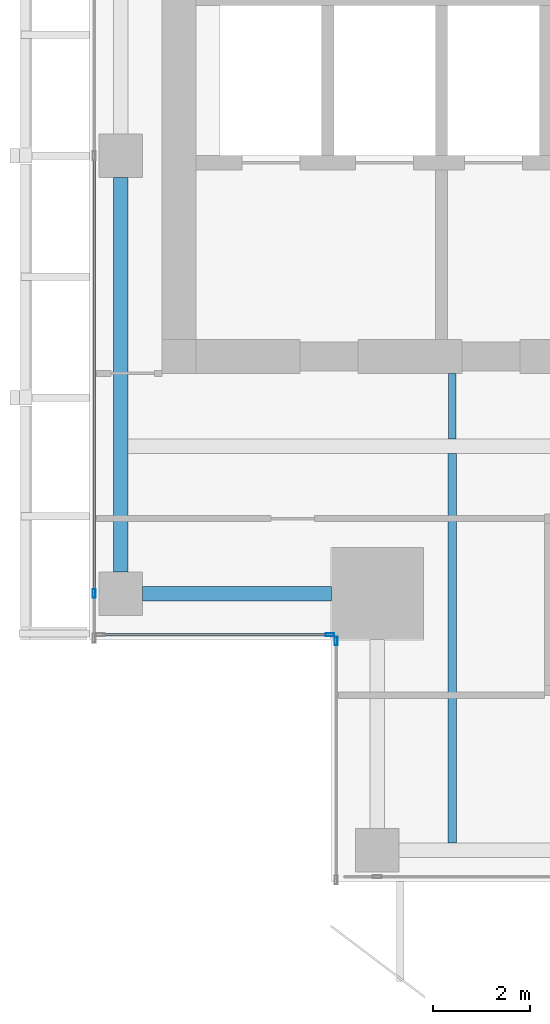
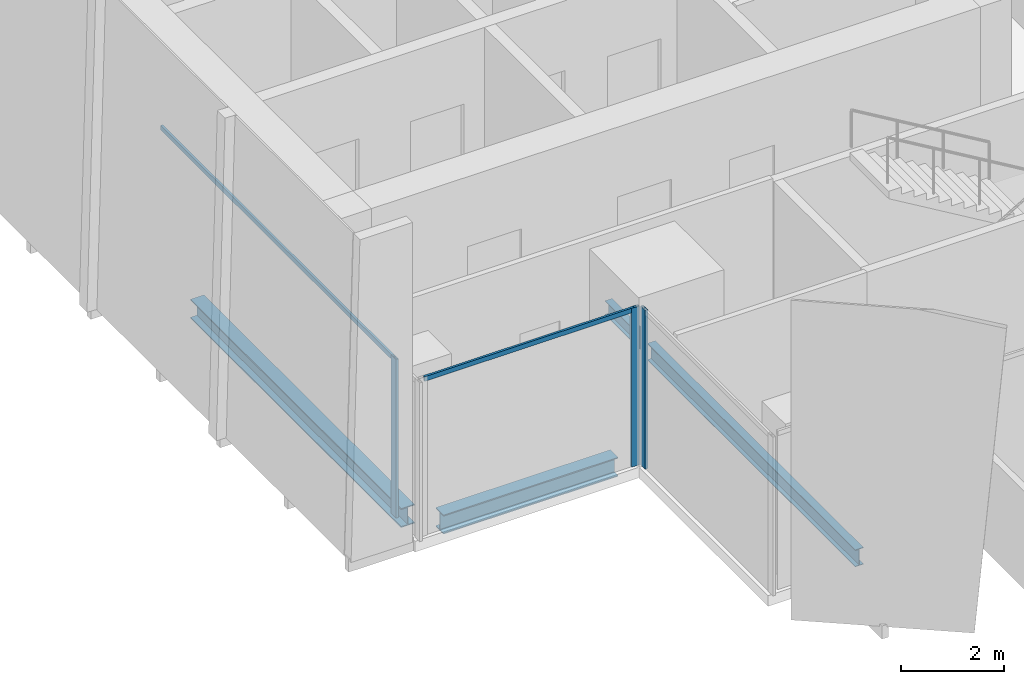
# One storey, part 3 of 35: 5 members, 4 beams, 3 elements without a shape of their own.
"""IFC4 building model written with IfcOpenShell, lengths in metres."""

from ifc_helpers import new_model, si_unit, direction, frame, origin, origin_2d, place, context, subcontext, project, spatial, hollow_rectangle, i_section, extrude, source, transform, mapped, material, material_profile, profile_set, type_object, element, aggregate, save


model = new_model("IFC4")

# Units and contexts
model_context = context("Model", 3, precision=1e-05, world=origin(), true_north=direction((0.0, 1.0)))
body_context = subcontext(model_context, "Body", "Model", "MODEL_VIEW")
ifc_project = project(units=[si_unit("LENGTHUNIT", "METRE"), si_unit("AREAUNIT", "SQUARE_METRE"), si_unit("VOLUMEUNIT", "CUBIC_METRE"), si_unit("PLANEANGLEUNIT", "RADIAN"), si_unit("MASSUNIT", "GRAM", prefix="KILO")], contexts=[model_context])

# Site, building, storey
site_placement = place(None, origin())
site = spatial("IfcSite", under=ifc_project, at=site_placement, CompositionType="ELEMENT")
building_placement = place(site_placement, origin())
building = spatial("IfcBuilding", under=site, at=building_placement, Name="Khomas Fold Tower", CompositionType="ELEMENT")
storey_placement = place(building_placement, frame((0.0, 0.0, 266.199951171875)))
storey = spatial("IfcBuildingStorey", under=building, at=storey_placement, Name="L60", CompositionType="ELEMENT", Elevation=266.199951171875)

# Beams
ifc_material_1 = material(Name="Steel S355", Category="steel")
ifc_material_profile_1 = material_profile(ifc_material_1, i_section(OverallWidth=0.159912109375, OverallDepth=0.330078125, WebThickness=0.007568359375, FlangeThickness=0.011474609375, at=origin_2d()), Name="IPE 330")
ifc_profile_set_1 = profile_set([ifc_material_profile_1], Name="Steel S355")
beam_type_1 = type_object("IfcBeamType", Name="IPE 330 beam JB1", PredefinedType="BEAM", material=ifc_profile_set_1)
shared_shape_1 = source(origin(), body_context, "Body", "SweptSolid", [
    extrude(i_section(OverallWidth=0.159912109375, OverallDepth=0.330078125, WebThickness=0.007568359375, FlangeThickness=0.011474609375, at=origin_2d()), origin(), (0.0, 0.0, 1.0), 1.35009765625),
])
beam_1_placement = place(storey_placement, frame((12.0, 13.64990234375, -0.4150390625), z_axis=(0.0, 1.0, 0.0), x_axis=(-1.0, 0.0, 0.0)))
element("IfcBeam", 1, at=beam_1_placement, inside=storey, type_object=beam_type_1, Name="JB1", PredefinedType="BEAM", context=body_context, shape_type="MappedRepresentation", body=[
    mapped(shared_shape_1, transform((0.0, 0.0, 0.0))),
])
ifc_material_2 = material(Name="Steel S355", Category="steel")
ifc_material_profile_2 = material_profile(ifc_material_2, i_section(OverallWidth=0.300048828125, OverallDepth=0.449951171875, WebThickness=0.013916015625, FlangeThickness=0.02587890625, at=origin_2d()), Name="HE 450 B")
ifc_profile_set_2 = profile_set([ifc_material_profile_2], Name="Steel S355")
beam_type_2 = type_object("IfcBeamType", Name="HE 450 B spandrel SB4", PredefinedType="SPANDREL", material=ifc_profile_set_2)
shared_shape_2 = source(origin(), body_context, "Body", "SweptSolid", [
    extrude(i_section(OverallWidth=0.300048828125, OverallDepth=0.449951171875, WebThickness=0.013916015625, FlangeThickness=0.02587890625, at=origin_2d()), origin(), (0.0, 0.0, 1.0), 8.150146484375),
])
beam_2_placement = place(storey_placement, frame((5.14990234375, 10.89990234375, -0.474853515625), z_axis=(0.0, 1.0, 0.0), x_axis=(-1.0, 0.0, 0.0)))
element("IfcBeam", 2, at=beam_2_placement, inside=storey, type_object=beam_type_2, Name="SB4", PredefinedType="SPANDREL", context=body_context, shape_type="MappedRepresentation", body=[
    mapped(shared_shape_2, transform((0.0, 0.0, 0.0))),
])
shared_shape_3 = source(origin(), body_context, "Body", "SweptSolid", [
    extrude(i_section(OverallWidth=0.300048828125, OverallDepth=0.449951171875, WebThickness=0.013916015625, FlangeThickness=0.02587890625, at=origin_2d()), origin(), (0.0, 0.0, 1.0), 3.89990234375),
])
beam_3_placement = place(storey_placement, frame((5.60009765625, 10.449951171875, -0.474853515625), z_axis=(1.0, 0.0, 0.0), x_axis=(0.0, 1.0, 0.0)))
element("IfcBeam", 3, at=beam_3_placement, inside=storey, type_object=beam_type_2, Name="SB4", PredefinedType="SPANDREL", context=body_context, shape_type="MappedRepresentation", body=[
    mapped(shared_shape_3, transform((0.0, 0.0, 0.0))),
])
ifc_material_3 = material(Name="Steel S355", Category="steel")
ifc_material_profile_3 = material_profile(ifc_material_3, i_section(OverallWidth=0.179931640625, OverallDepth=0.39990234375, WebThickness=0.008544921875, FlangeThickness=0.013427734375, at=origin_2d()), Name="IPE 400")
ifc_profile_set_3 = profile_set([ifc_material_profile_3], Name="Steel S355")
beam_type_3 = type_object("IfcBeamType", Name="IPE 400 beam JB3", PredefinedType="BEAM", material=ifc_profile_set_3)
shared_shape_4 = source(origin(), body_context, "Body", "SweptSolid", [
    extrude(i_section(OverallWidth=0.179931640625, OverallDepth=0.39990234375, WebThickness=0.008544921875, FlangeThickness=0.013427734375, at=origin_2d()), origin(), (0.0, 0.0, 1.0), 8.050048828125),
])
beam_4_placement = place(storey_placement, frame((12.0, 5.300048828125, -0.449951171875), z_axis=(0.0, 1.0, 0.0), x_axis=(-1.0, 0.0, 0.0)))
element("IfcBeam", 4, at=beam_4_placement, inside=storey, type_object=beam_type_3, Name="JB3", PredefinedType="BEAM", context=body_context, shape_type="MappedRepresentation", body=[
    mapped(shared_shape_4, transform((0.0, 0.0, 0.0))),
])

# Curtain wall, member
ifc_material_4 = material(Name="Aluminium framed double glazing", Category="aluminium")
curtain_wall_type = type_object("IfcCurtainWallType", Name="SK-Unitised clear-glass wall, office floors CW2", PredefinedType="NOTDEFINED", material=ifc_material_4)
curtain_wall_1_placement = place(storey_placement, origin())
curtain_wall_1 = element("IfcCurtainWall", 5, at=curtain_wall_1_placement, inside=storey, type_object=curtain_wall_type, Name="CW2 run L60 09-0", PredefinedType="NOTDEFINED")
ifc_material_5 = material(Name="Aluminium", Category="aluminium")
ifc_material_profile_4 = material_profile(ifc_material_5, hollow_rectangle(XDim=0.06005859375, YDim=0.179931640625, WallThickness=0.00390625, at=origin_2d()), Name="SK-Unitised clear-glass wall, office floors mullion CW2-M")
ifc_profile_set_4 = profile_set([ifc_material_profile_4], Name="Aluminium")
member_type_1 = type_object("IfcMemberType", Name="SK-Unitised clear-glass wall, office floors mullion CW2-M", PredefinedType="MULLION", material=ifc_profile_set_4)
shared_shape_5 = source(origin(), body_context, "Body", "SweptSolid", [
    extrude(hollow_rectangle(XDim=0.06005859375, YDim=0.179931640625, WallThickness=0.00390625, at=origin_2d()), origin(), (0.0, 0.0, 1.0), 3.75),
])
member_1_placement = place(storey_placement, frame((4.60009765625, 10.449951171875, 0.0), z_axis=(0.0, 0.0, 1.0), x_axis=(1.0, 0.0, 0.0)))
member_1 = element("IfcMember", 6, at=member_1_placement, type_object=member_type_1, Name="CW2 mullion 6", PredefinedType="MULLION", context=body_context, shape_type="MappedRepresentation", body=[
    mapped(shared_shape_5, transform((0.0, 0.0, 0.0))),
])

curtain_wall_2_placement = place(storey_placement, origin())
curtain_wall_2 = element("IfcCurtainWall", 7, at=curtain_wall_2_placement, inside=storey, type_object=curtain_wall_type, Name="CW2 corner return L60 10", PredefinedType="NOTDEFINED")
member_2_placement = place(storey_placement, frame((9.469970703125, 9.60009765625, 0.0), z_axis=(0.0, 0.0, 1.0), x_axis=(0.0, 1.0, 0.0)))
member_2 = element("IfcMember", 8, at=member_2_placement, type_object=member_type_1, Name="CW2 mullion 2", PredefinedType="MULLION", context=body_context, shape_type="MappedRepresentation", body=[
    mapped(shared_shape_5, transform((0.0, 0.0, 0.0))),
])

curtain_wall_3_placement = place(storey_placement, origin())
curtain_wall_3 = element("IfcCurtainWall", 9, at=curtain_wall_3_placement, inside=storey, type_object=curtain_wall_type, Name="CW2 corner return L60 11", PredefinedType="NOTDEFINED")
member_3_placement = place(storey_placement, frame((9.60009765625, 9.469970703125, 0.0), z_axis=(0.0, 0.0, 1.0), x_axis=(1.0, 0.0, 0.0)))
member_3 = element("IfcMember", 10, at=member_3_placement, type_object=member_type_1, Name="CW2 mullion 1", PredefinedType="MULLION", context=body_context, shape_type="MappedRepresentation", body=[
    mapped(shared_shape_5, transform((0.0, 0.0, 0.0))),
])
aggregate(curtain_wall_3, [member_3])

# Member
ifc_material_6 = material(Name="Aluminium", Category="aluminium")
ifc_material_profile_5 = material_profile(ifc_material_6, hollow_rectangle(XDim=0.050048828125, YDim=0.110107421875, WallThickness=0.00390625, at=origin_2d()), Name="SK-Unitised clear-glass wall, office floors transom CW2-T")
ifc_profile_set_5 = profile_set([ifc_material_profile_5], Name="Aluminium")
member_type_2 = type_object("IfcMemberType", Name="SK-Unitised clear-glass wall, office floors transom CW2-T", PredefinedType="USERDEFINED", material=ifc_profile_set_5)
shared_shape_6 = source(origin(), body_context, "Body", "SweptSolid", [
    extrude(hollow_rectangle(XDim=0.050048828125, YDim=0.110107421875, WallThickness=0.00390625, at=origin_2d()), origin(), (0.0, 0.0, 1.0), 8.989990234375),
])
member_4_placement = place(storey_placement, frame((4.60009765625, 19.469970703125, 3.695068359375), z_axis=(0.0, -1.0, 0.0), x_axis=(1.0, 0.0, 0.0)))
member_4 = element("IfcMember", 11, at=member_4_placement, type_object=member_type_2, Name="CW2 transom 5", ObjectType="TRANSOM", PredefinedType="USERDEFINED", context=body_context, shape_type="MappedRepresentation", body=[
    mapped(shared_shape_6, transform((0.0, 0.0, 0.0))),
])

aggregate(curtain_wall_1, [member_1, member_4])

shared_shape_7 = source(origin(), body_context, "Body", "SweptSolid", [
    extrude(hollow_rectangle(XDim=0.050048828125, YDim=0.110107421875, WallThickness=0.00390625, at=origin_2d()), origin(), (0.0, 0.0, 1.0), 4.679931640625),
])
member_5_placement = place(storey_placement, frame((4.760009765625, 9.60009765625, 3.695068359375), z_axis=(1.0, 0.0, 0.0), x_axis=(0.0, 1.0, 0.0)))
member_5 = element("IfcMember", 12, at=member_5_placement, type_object=member_type_2, Name="CW2 transom 1", ObjectType="TRANSOM", PredefinedType="USERDEFINED", context=body_context, shape_type="MappedRepresentation", body=[
    mapped(shared_shape_7, transform((0.0, 0.0, 0.0))),
])

aggregate(curtain_wall_2, [member_2, member_5])

save(model, "model.ifc")
